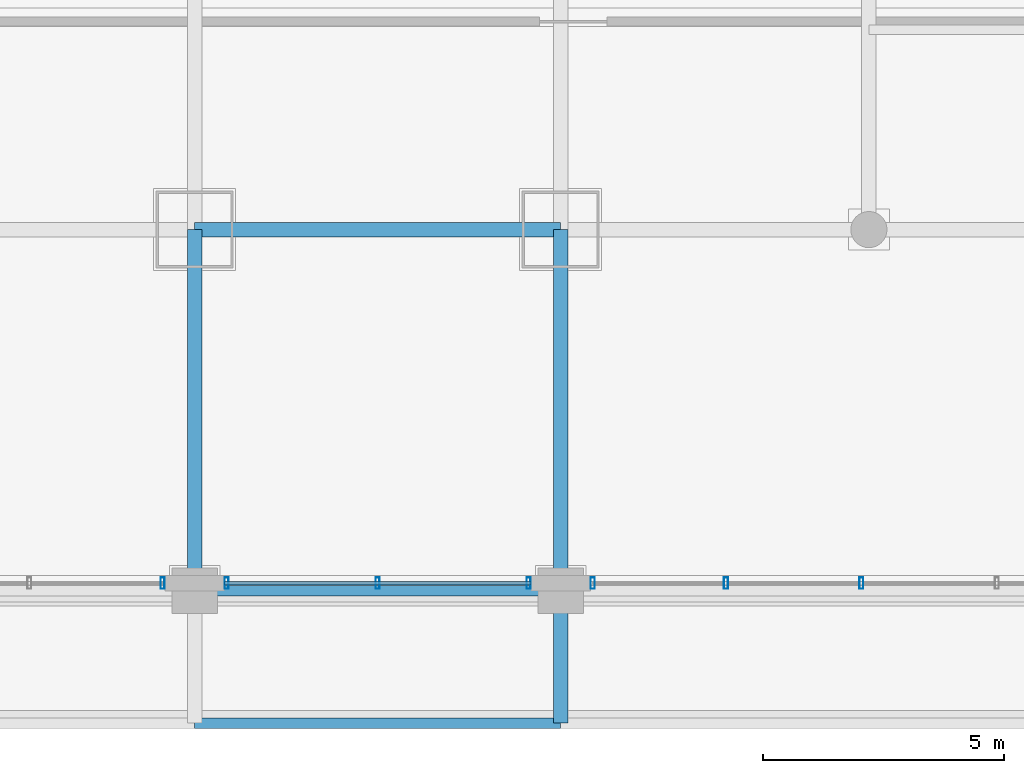
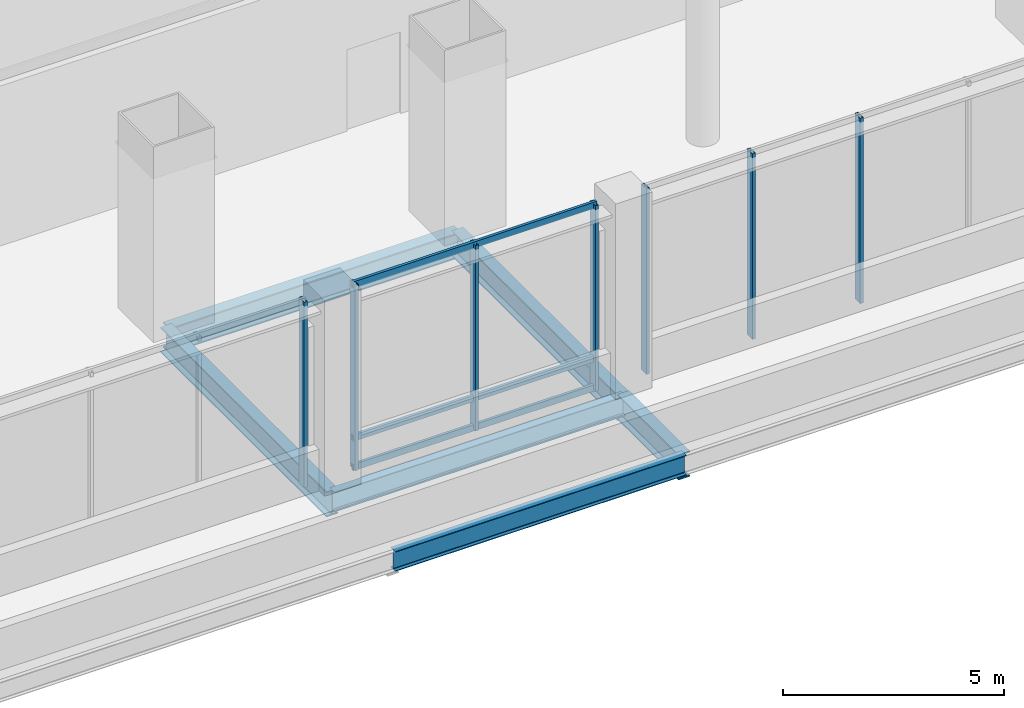
# One storey, part 8 of 43: 10 members, 6 beams, 3 elements without a shape of their own.
"""IFC4 building model written with IfcOpenShell, lengths in metres."""

from ifc_helpers import new_model, si_unit, direction, frame, origin, origin_2d, place, context, subcontext, project, spatial, hollow_rectangle, i_section, extrude, material, material_profile, profile_set, type_object, element, aggregate, save


model = new_model("IFC4")

# Units and contexts
model_context = context("Model", 3, precision=1e-05, world=origin(), true_north=direction((0.0, 1.0)))
body_context = subcontext(model_context, "Body", "Model", "MODEL_VIEW")
ifc_project = project(units=[si_unit("LENGTHUNIT", "METRE"), si_unit("AREAUNIT", "SQUARE_METRE"), si_unit("VOLUMEUNIT", "CUBIC_METRE"), si_unit("PLANEANGLEUNIT", "RADIAN"), si_unit("MASSUNIT", "GRAM", prefix="KILO")], contexts=[model_context])

# Site, building, storey
site_placement = place(None, origin())
site = spatial("IfcSite", under=ifc_project, at=site_placement, CompositionType="ELEMENT")
building_placement = place(site_placement, origin())
building = spatial("IfcBuilding", under=site, at=building_placement, Name="Punatoya Terracotta Tower", CompositionType="ELEMENT")
storey_placement = place(building_placement, frame((0.0, 0.0, 6.0)))
storey = spatial("IfcBuildingStorey", under=building, at=storey_placement, Name="L01", CompositionType="ELEMENT", Elevation=6.0)

# Beams
ifc_material_1 = material(Name="Steel S355", Category="steel")
ifc_material_profile_1 = material_profile(ifc_material_1, i_section(OverallWidth=0.300048828125, OverallDepth=0.699951171875, WebThickness=0.01708984375, FlangeThickness=0.031982421875, FilletRadius=0.01806640625, at=origin_2d()))
ifc_profile_set_1 = profile_set([ifc_material_profile_1], Name="Steel S355")
beam_type_1 = type_object("IfcBeamType", Name="BM-PRI-700", PredefinedType="BEAM", material=ifc_profile_set_1)
beam_1_placement = place(storey_placement, frame((-3.800048828125, -17.5, -0.6298828125), z_axis=(1.0, 0.0, 0.0), x_axis=(0.0, 1.0, 0.0)))
element("IfcBeam", 1, at=beam_1_placement, inside=storey, type_object=beam_type_1, Name="BM-L01-RG-S2", PredefinedType="BEAM", context=body_context, shape_type="SweptSolid", body=[
    extrude(i_section(OverallWidth=0.300048828125, OverallDepth=0.699951171875, WebThickness=0.01708984375, FlangeThickness=0.031982421875, FilletRadius=0.01806640625, at=origin_2d()), origin(), (0.0, 0.0, 1.0), 7.60009765625),
])
for number, where, z_axis, x_axis, name in (
    (2, (-3.800048828125, -25.0, -0.6298828125), (0.0, 1.0, 0.0), (-1.0, 0.0, 0.0), "BM-L01-NS-3-S"),
    (3, (3.800048828125, -25.0, -0.6298828125), (0.0, 1.0, 0.0), (-1.0, 0.0, 0.0), "BM-L01-NS3-S"),
):
    element("IfcBeam", number, at=place(storey_placement, frame(where, z_axis=z_axis, x_axis=x_axis)), inside=storey, type_object=beam_type_1, Name=name, PredefinedType="BEAM", context=body_context, shape_type="SweptSolid", body=[
        extrude(i_section(OverallWidth=0.300048828125, OverallDepth=0.699951171875, WebThickness=0.01708984375, FlangeThickness=0.031982421875, FilletRadius=0.01806640625, at=origin_2d()), origin(), (0.0, 0.0, 1.0), 7.5),
    ])
beam_2_placement = place(storey_placement, frame((3.800048828125, -27.75, -0.60009765625), z_axis=(0.0, 1.0, 0.0), x_axis=(-1.0, 0.0, 0.0)))
element("IfcBeam", 4, at=beam_2_placement, inside=storey, type_object=beam_type_1, Name="BM-L01-CANS-3", PredefinedType="BEAM", context=body_context, shape_type="SweptSolid", body=[
    extrude(i_section(OverallWidth=0.300048828125, OverallDepth=0.699951171875, WebThickness=0.01708984375, FlangeThickness=0.031982421875, FilletRadius=0.01806640625, at=origin_2d()), origin(), (0.0, 0.0, 1.0), 2.75),
])
ifc_material_profile_2 = material_profile(ifc_material_1, i_section(OverallWidth=0.2099609375, OverallDepth=0.550048828125, WebThickness=0.010986328125, FlangeThickness=0.01708984375, FilletRadius=0.01806640625, at=origin_2d()))
ifc_profile_set_2 = profile_set([ifc_material_profile_2], Name="Steel S355")
beam_type_2 = type_object("IfcBeamType", Name="BM-SPN-550", PredefinedType="SPANDREL", material=ifc_profile_set_2)
for number, where, z_axis, x_axis, name in (
    (5, (-3.800048828125, -25.0, -0.554931640625), (1.0, 0.0, 0.0), (0.0, 1.0, 0.0), "BM-L01-MIDA-2"),
    (6, (-3.800048828125, -27.75, -0.52490234375), (1.0, 0.0, 0.0), (0.0, 1.0, 0.0), "BM-L01-CANFS-2"),
):
    element("IfcBeam", number, at=place(storey_placement, frame(where, z_axis=z_axis, x_axis=x_axis)), inside=storey, type_object=beam_type_2, Name=name, PredefinedType="SPANDREL", context=body_context, shape_type="SweptSolid", body=[
        extrude(i_section(OverallWidth=0.2099609375, OverallDepth=0.550048828125, WebThickness=0.010986328125, FlangeThickness=0.01708984375, FilletRadius=0.01806640625, at=origin_2d()), origin(), (0.0, 0.0, 1.0), 7.60009765625),
    ])

# Curtain wall, member
ifc_material_2 = material(Name="Aluminium 6063-T6 + Double Low-E Glass", Category="aluminium")
curtain_wall_type = type_object("IfcCurtainWallType", Name="CW-POD", PredefinedType="NOTDEFINED", material=ifc_material_2)
curtain_wall_1_placement = place(storey_placement, origin())
curtain_wall_1 = element("IfcCurtainWall", 7, at=curtain_wall_1_placement, inside=storey, type_object=curtain_wall_type, Name="L01 Curtain Wall CWP-L01-S3", PredefinedType="NOTDEFINED")
ifc_material_3 = material(Name="Aluminium 6063-T6", Category="aluminium")
ifc_material_profile_3 = material_profile(ifc_material_3, hollow_rectangle(XDim=0.0849609375, YDim=0.239990234375, WallThickness=0.0048828125, at=origin_2d()))
ifc_profile_set_3 = profile_set([ifc_material_profile_3], Name="Aluminium 6063-T6")
member_type_1 = type_object("IfcMemberType", Name="CW-MUL-POD", PredefinedType="MULLION", material=ifc_profile_set_3)
member_1_placement = place(storey_placement, frame((-4.465087890625, -24.840087890625, 0.0), z_axis=(0.0, 0.0, 1.0), x_axis=(1.0, 0.0, 0.0)))
member_1 = element("IfcMember", 8, at=member_1_placement, type_object=member_type_1, Name="CWP-L01-S3 Mullion 05", PredefinedType="MULLION", context=body_context, shape_type="SweptSolid", body=[
    extrude(hollow_rectangle(XDim=0.0849609375, YDim=0.239990234375, WallThickness=0.0048828125, at=origin_2d()), origin(), (0.0, 0.0, 1.0), 5.1201171875),
])
aggregate(curtain_wall_1, [member_1])

# Curtain wall, members
curtain_wall_2_placement = place(storey_placement, origin())
curtain_wall_2 = element("IfcCurtainWall", 9, at=curtain_wall_2_placement, inside=storey, type_object=curtain_wall_type, Name="L01 Curtain Wall CWP-L01-S4", PredefinedType="NOTDEFINED")
member_2_placement = place(storey_placement, frame((-3.135009765625, -24.840087890625, 0.0), z_axis=(0.0, 0.0, 1.0), x_axis=(1.0, 0.0, 0.0)))
member_2 = element("IfcMember", 10, at=member_2_placement, type_object=member_type_1, Name="CWP-L01-S4 Mullion 00", PredefinedType="MULLION", context=body_context, shape_type="SweptSolid", body=[
    extrude(hollow_rectangle(XDim=0.0849609375, YDim=0.239990234375, WallThickness=0.0048828125, at=origin_2d()), origin(), (0.0, 0.0, 1.0), 5.1201171875),
])
member_3_placement = place(storey_placement, frame((0.0, -24.840087890625, 0.0), z_axis=(0.0, 0.0, 1.0), x_axis=(1.0, 0.0, 0.0)))
member_3 = element("IfcMember", 11, at=member_3_placement, type_object=member_type_1, Name="CWP-L01-S4 Mullion 01", PredefinedType="MULLION", context=body_context, shape_type="SweptSolid", body=[
    extrude(hollow_rectangle(XDim=0.0849609375, YDim=0.239990234375, WallThickness=0.0048828125, at=origin_2d()), origin(), (0.0, 0.0, 1.0), 5.1201171875),
])
member_4_placement = place(storey_placement, frame((3.135009765625, -24.840087890625, 0.0), z_axis=(0.0, 0.0, 1.0), x_axis=(1.0, 0.0, 0.0)))
member_4 = element("IfcMember", 12, at=member_4_placement, type_object=member_type_1, Name="CWP-L01-S4 Mullion 02", PredefinedType="MULLION", context=body_context, shape_type="SweptSolid", body=[
    extrude(hollow_rectangle(XDim=0.0849609375, YDim=0.239990234375, WallThickness=0.0048828125, at=origin_2d()), origin(), (0.0, 0.0, 1.0), 5.1201171875),
])

curtain_wall_3_placement = place(storey_placement, origin())
curtain_wall_3 = element("IfcCurtainWall", 13, at=curtain_wall_3_placement, inside=storey, type_object=curtain_wall_type, Name="L01 Curtain Wall CWP-L01-S5", PredefinedType="NOTDEFINED")
member_5_placement = place(storey_placement, frame((4.465087890625, -24.840087890625, 0.0), z_axis=(0.0, 0.0, 1.0), x_axis=(1.0, 0.0, 0.0)))
member_5 = element("IfcMember", 14, at=member_5_placement, type_object=member_type_1, Name="CWP-L01-S5 Mullion 00", PredefinedType="MULLION", context=body_context, shape_type="SweptSolid", body=[
    extrude(hollow_rectangle(XDim=0.0849609375, YDim=0.239990234375, WallThickness=0.0048828125, at=origin_2d()), origin(), (0.0, 0.0, 1.0), 5.1201171875),
])
member_6_placement = place(storey_placement, frame((7.23193359375, -24.840087890625, 0.0), z_axis=(0.0, 0.0, 1.0), x_axis=(1.0, 0.0, 0.0)))
member_6 = element("IfcMember", 15, at=member_6_placement, type_object=member_type_1, Name="CWP-L01-S5 Mullion 01", PredefinedType="MULLION", context=body_context, shape_type="SweptSolid", body=[
    extrude(hollow_rectangle(XDim=0.0849609375, YDim=0.239990234375, WallThickness=0.0048828125, at=origin_2d()), origin(), (0.0, 0.0, 1.0), 5.1201171875),
])
member_7_placement = place(storey_placement, frame((10.0439453125, -24.840087890625, 0.0), z_axis=(0.0, 0.0, 1.0), x_axis=(1.0, 0.0, 0.0)))
member_7 = element("IfcMember", 16, at=member_7_placement, type_object=member_type_1, Name="CWP-L01-S5 Mullion 02", PredefinedType="MULLION", context=body_context, shape_type="SweptSolid", body=[
    extrude(hollow_rectangle(XDim=0.0849609375, YDim=0.239990234375, WallThickness=0.0048828125, at=origin_2d()), origin(), (0.0, 0.0, 1.0), 5.1201171875),
])
aggregate(curtain_wall_3, [member_5, member_6, member_7])

# Member
ifc_material_profile_4 = material_profile(ifc_material_3, hollow_rectangle(XDim=0.074951171875, YDim=0.175048828125, WallThickness=0.00439453125, at=origin_2d()))
ifc_profile_set_4 = profile_set([ifc_material_profile_4], Name="Aluminium 6063-T6")
member_type_2 = type_object("IfcMemberType", Name="CW-TRN-POD", PredefinedType="USERDEFINED", material=ifc_profile_set_4)
member_8_placement = place(storey_placement, frame((-3.179931640625, -24.840087890625, 0.0400390625), z_axis=(1.0, 0.0, 0.0), x_axis=(0.0, 1.0, 0.0)))
member_8 = element("IfcMember", 17, at=member_8_placement, type_object=member_type_2, Name="CWP-L01-S4 Transom 1", ObjectType="TRANSOM", PredefinedType="USERDEFINED", context=body_context, shape_type="SweptSolid", body=[
    extrude(hollow_rectangle(XDim=0.074951171875, YDim=0.175048828125, WallThickness=0.00439453125, at=origin_2d()), origin(), (0.0, 0.0, 1.0), 6.35986328125),
])

member_9_placement = place(storey_placement, frame((-3.179931640625, -24.840087890625, 0.85009765625), z_axis=(1.0, 0.0, 0.0), x_axis=(0.0, 1.0, 0.0)))
member_9 = element("IfcMember", 18, at=member_9_placement, type_object=member_type_2, Name="CWP-L01-S4 Transom 2", ObjectType="TRANSOM", PredefinedType="USERDEFINED", context=body_context, shape_type="SweptSolid", body=[
    extrude(hollow_rectangle(XDim=0.074951171875, YDim=0.175048828125, WallThickness=0.00439453125, at=origin_2d()), origin(), (0.0, 0.0, 1.0), 6.35986328125),
])

member_10_placement = place(storey_placement, frame((-3.179931640625, -24.840087890625, 5.080078125), z_axis=(1.0, 0.0, 0.0), x_axis=(0.0, 1.0, 0.0)))
member_10 = element("IfcMember", 19, at=member_10_placement, type_object=member_type_2, Name="CWP-L01-S4 Transom 3", ObjectType="TRANSOM", PredefinedType="USERDEFINED", context=body_context, shape_type="SweptSolid", body=[
    extrude(hollow_rectangle(XDim=0.074951171875, YDim=0.175048828125, WallThickness=0.00439453125, at=origin_2d()), origin(), (0.0, 0.0, 1.0), 6.35986328125),
])

aggregate(curtain_wall_2, [member_2, member_3, member_4, member_8, member_9, member_10])

save(model, "model.ifc")
